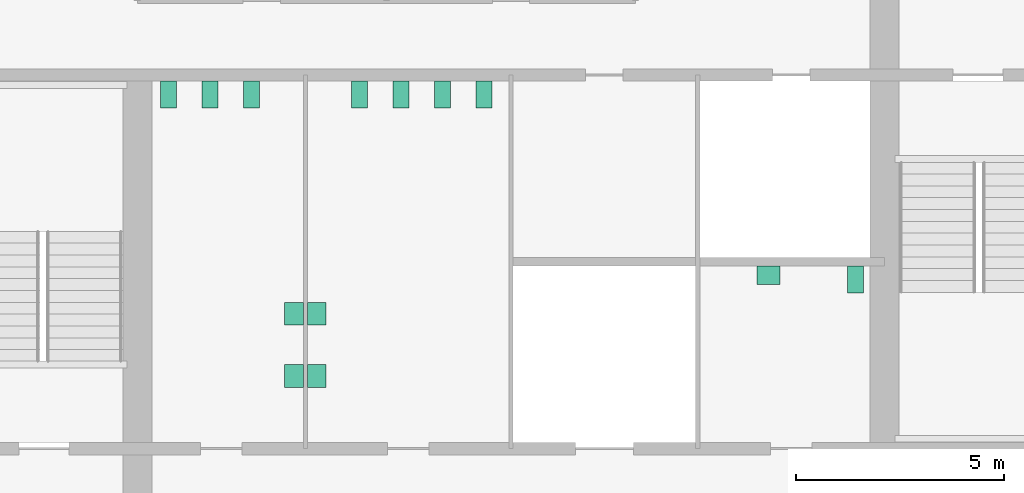
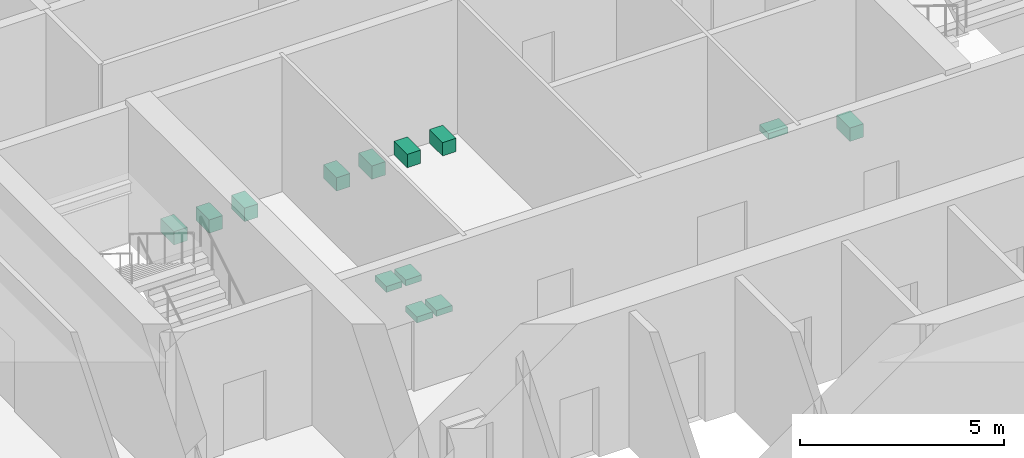
# One storey, part 13 of 13: 13 sanitary terminals.
"""IFC4 building model written with IfcOpenShell, lengths in metres."""

from ifc_helpers import new_model, si_unit, direction, frame, origin, origin_2d, place, context, subcontext, project, spatial, rectangle, extrude, material, type_object, element, save


model = new_model("IFC4")

# Units and contexts
model_context = context("Model", 3, precision=1e-05, world=origin(), true_north=direction((0.0, 1.0)))
body_context = subcontext(model_context, "Body", "Model", "MODEL_VIEW")
ifc_project = project(units=[si_unit("LENGTHUNIT", "METRE"), si_unit("AREAUNIT", "SQUARE_METRE"), si_unit("VOLUMEUNIT", "CUBIC_METRE"), si_unit("PLANEANGLEUNIT", "RADIAN"), si_unit("MASSUNIT", "GRAM", prefix="KILO")], contexts=[model_context])

# Site, building, storey
site_placement = place(None, origin())
site = spatial("IfcSite", under=ifc_project, at=site_placement, CompositionType="ELEMENT")
building_placement = place(site_placement, origin())
building = spatial("IfcBuilding", under=site, at=building_placement, Name="Corais Broadcast Tower", CompositionType="ELEMENT")
storey_placement = place(building_placement, frame((0.0, 0.0, 87.800048828125)))
storey = spatial("IfcBuildingStorey", under=building, at=storey_placement, Name="L19", CompositionType="ELEMENT", Elevation=87.800048828125)

# Sanitary terminals
ifc_material_1 = material(Name="Vitreous china", Category="ceramic")
sanitary_terminal_type_1 = type_object("IfcSanitaryTerminalType", Name="WC pan 380x650", PredefinedType="TOILETPAN", material=ifc_material_1)
for number, where, z_axis, x_axis, name in (
    (1, (18.75, 31.02490234375, 0.0), (0.0, 0.0, 1.0), (1.0, 0.0, 0.0), "SW1 WC pan, male toilets L19"),
    (2, (19.75, 31.02490234375, 0.0), (0.0, 0.0, 1.0), (1.0, 0.0, 0.0), "SW1 WC pan, male toilets L19"),
    (3, (20.75, 31.02490234375, 0.0), (0.0, 0.0, 1.0), (1.0, 0.0, 0.0), "SW1 WC pan, male toilets L19"),
    (4, (23.35009765625, 31.02490234375, 0.0), (0.0, 0.0, 1.0), (1.0, 0.0, 0.0), "SW1 WC pan, female toilets L19"),
    (5, (24.35009765625, 31.02490234375, 0.0), (0.0, 0.0, 1.0), (1.0, 0.0, 0.0), "SW1 WC pan, female toilets L19"),
    (6, (25.35009765625, 31.02490234375, 0.0), (0.0, 0.0, 1.0), (1.0, 0.0, 0.0), "SW1 WC pan, female toilets L19"),
    (7, (26.35009765625, 31.02490234375, 0.0), (0.0, 0.0, 1.0), (1.0, 0.0, 0.0), "SW1 WC pan, female toilets L19"),
    (8, (35.300048828125, 26.574951171875, 0.0), (0.0, 0.0, 1.0), (1.0, 0.0, 0.0), "SW1 WC pan, accessible WC L19"),
):
    element("IfcSanitaryTerminal", number, at=place(storey_placement, frame(where, z_axis=z_axis, x_axis=x_axis)), inside=storey, type_object=sanitary_terminal_type_1, Name=name, PredefinedType="TOILETPAN", context=body_context, shape_type="SweptSolid", body=[
        extrude(rectangle(XDim=0.3798828125, YDim=0.64990234375, at=origin_2d()), origin(), (0.0, 0.0, 1.0), 0.39990234375),
    ])
ifc_material_2 = material(Name="Vitreous china", Category="ceramic")
sanitary_terminal_type_2 = type_object("IfcSanitaryTerminalType", Name="Wash basin 550x450", PredefinedType="WASHHANDBASIN", material=ifc_material_2)
for number, where, z_axis, x_axis, name in (
    (9, (21.77490234375, 24.25, 0.7001953125), (0.0, 0.0, 1.0), (1.0, 0.0, 0.0), "WB1 wash basin, male toilets L19"),
    (10, (21.77490234375, 25.75, 0.7001953125), (0.0, 0.0, 1.0), (1.0, 0.0, 0.0), "WB1 wash basin, male toilets L19"),
    (11, (22.324951171875, 24.25, 0.7001953125), (0.0, 0.0, 1.0), (1.0, 0.0, 0.0), "WB1 wash basin, female toilets L19"),
    (12, (22.324951171875, 25.75, 0.7001953125), (0.0, 0.0, 1.0), (1.0, 0.0, 0.0), "WB1 wash basin, female toilets L19"),
):
    element("IfcSanitaryTerminal", number, at=place(storey_placement, frame(where, z_axis=z_axis, x_axis=x_axis)), inside=storey, type_object=sanitary_terminal_type_2, Name=name, PredefinedType="WASHHANDBASIN", context=body_context, shape_type="SweptSolid", body=[
        extrude(rectangle(XDim=0.449951171875, YDim=0.550048828125, at=origin_2d()), origin(), (0.0, 0.0, 1.0), 0.179931640625),
    ])
sanitary_terminal_placement = place(storey_placement, frame((33.199951171875, 26.675048828125, 0.7001953125), z_axis=(0.0, 0.0, 1.0), x_axis=(1.0, 0.0, 0.0)))
element("IfcSanitaryTerminal", 13, at=sanitary_terminal_placement, inside=storey, type_object=sanitary_terminal_type_2, Name="WB1 wash basin, accessible WC L19", PredefinedType="WASHHANDBASIN", context=body_context, shape_type="SweptSolid", body=[
    extrude(rectangle(XDim=0.550048828125, YDim=0.449951171875, at=origin_2d()), origin(), (0.0, 0.0, 1.0), 0.179931640625),
])

save(model, "model.ifc")
